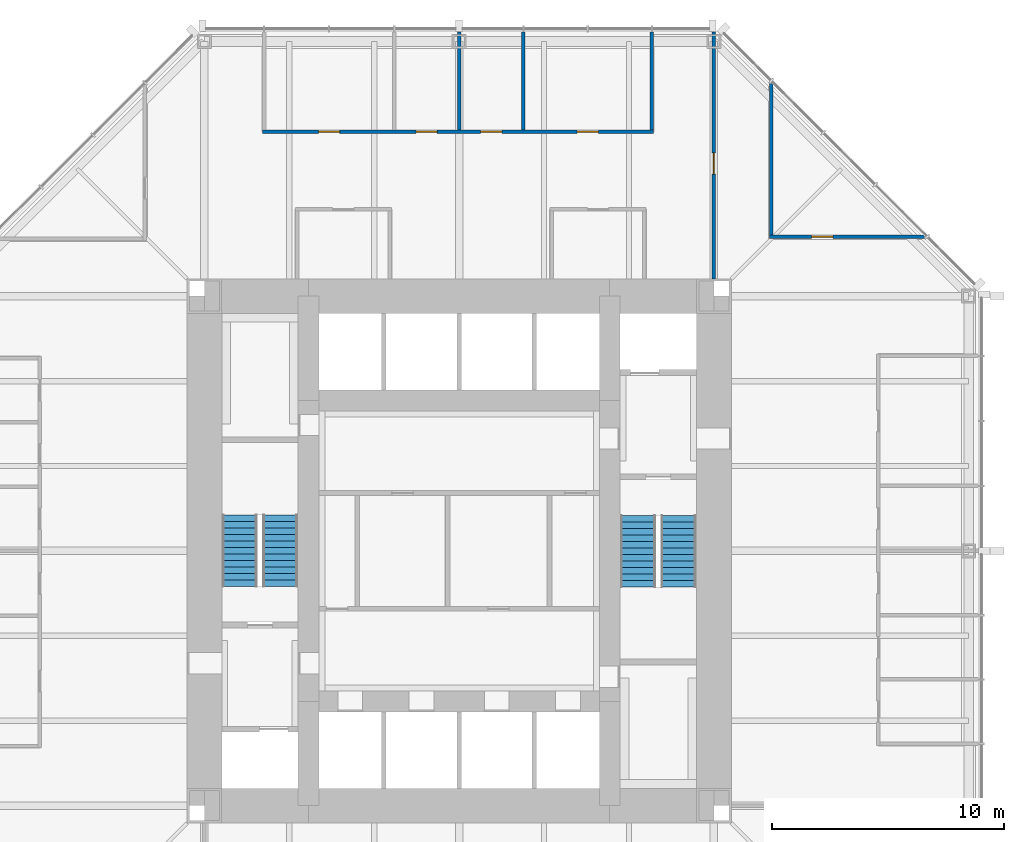
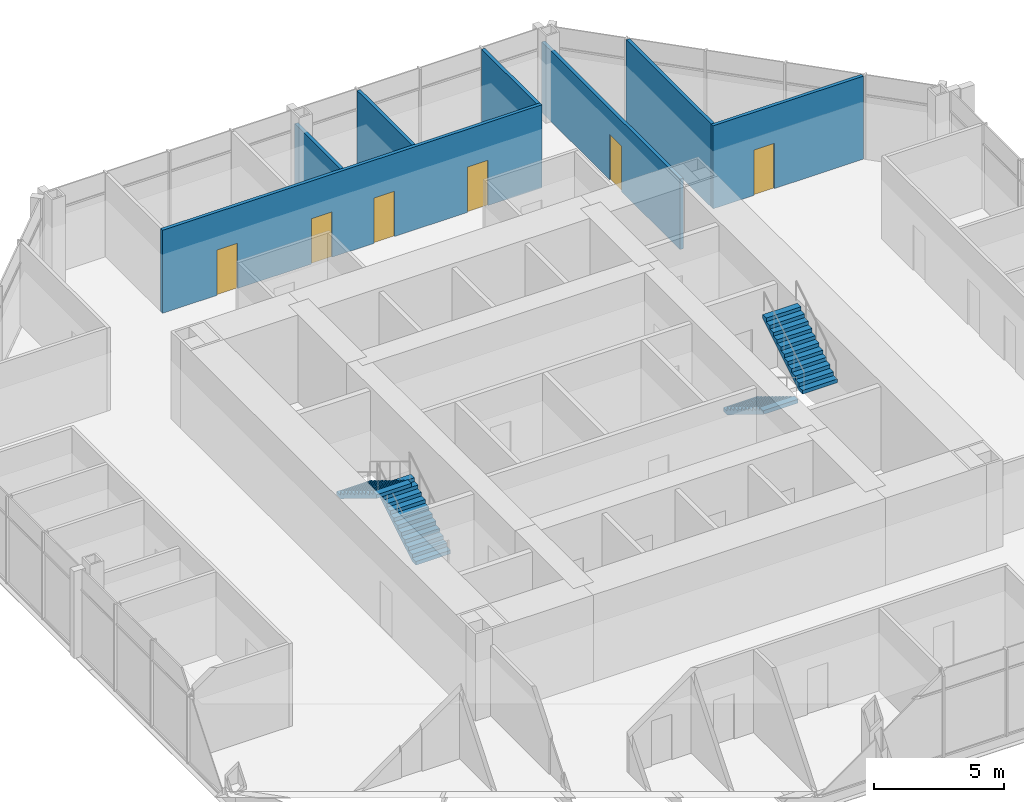
# One storey, part 11 of 12: 7 walls, 6 doors, 4 stair flights, 6 openings, 2 elements without a shape of their own.
"""IFC4 building model written with IfcOpenShell, lengths in metres."""

from ifc_helpers import new_model, si_unit, direction, frame, frame_2d, origin, place, context, subcontext, project, spatial, polyline, rectangle, outline, extrude, material, layer, layer_set, type_object, element, fill, aggregate, save


model = new_model("IFC4")

# Units and contexts
model_context = context("Model", 3, precision=1e-05, world=origin(), true_north=direction((0.0, 1.0)))
body_context = subcontext(model_context, "Body", "Model", "MODEL_VIEW")
ifc_project = project(units=[si_unit("LENGTHUNIT", "METRE"), si_unit("AREAUNIT", "SQUARE_METRE"), si_unit("VOLUMEUNIT", "CUBIC_METRE"), si_unit("PLANEANGLEUNIT", "RADIAN"), si_unit("MASSUNIT", "GRAM", prefix="KILO")], contexts=[model_context])

# Site, building, storey
site_placement = place(None, origin())
site = spatial("IfcSite", under=ifc_project, at=site_placement, CompositionType="ELEMENT")
building_placement = place(site_placement, origin())
building = spatial("IfcBuilding", under=site, at=building_placement, Name="Trevanion Tower", CompositionType="ELEMENT")
storey_placement = place(building_placement, frame((0.0, 0.0, 166.39990234375)))
storey = spatial("IfcBuildingStorey", under=building, at=storey_placement, Name="L39", CompositionType="ELEMENT", Elevation=166.39990234375)

# Wall, opening, door
ifc_material_1 = material(Name="Gypsum board on steel studs", Category="steel")
ifc_layer = layer(ifc_material_1, 0.14990234375)
ifc_layer_set = layer_set([ifc_layer], Name="PT1 partition 150")
wall_type = type_object("IfcWallType", Name="PT1 partition 150", PredefinedType="PARTITIONING", material=ifc_layer_set)
wall_1_placement = place(storey_placement, frame((11.0, 11.75, 0.0), z_axis=(0.0, 0.0, 1.0), x_axis=(0.0, 1.0, 0.0)))
wall_1 = element("IfcWall", 1, at=wall_1_placement, inside=storey, type_object=wall_type, Name="PT1 L39 ZW0", PredefinedType="PARTITIONING", context=body_context, shape_type="SweptSolid", body=[
    extrude(rectangle(XDim=10.6650390625, YDim=0.14990234375, at=frame_2d((5.33251953125, 0.0))), origin(), (0.0, 0.0, 1.0), 3.325927734375),
])
opening_1_placement = place(wall_1_placement, frame((4.517578125, 0.0, 0.0)))
opening_1 = element("IfcOpeningElement", 2, at=opening_1_placement, cuts=wall_1, Name="Opening 39-019", PredefinedType="OPENING", context=body_context, shape_type="SweptSolid", body=[
    extrude(rectangle(XDim=0.9150390625, YDim=2.134033203125, at=frame_2d((0.45751953125, 1.06689453125))), frame((0.0, 0.0849609375, 0.0), z_axis=(0.0, -1.0, 0.0), x_axis=(1.0, 0.0, 0.0)), (0.0, 0.0, 1.0), 0.169921875),
])
ifc_material_2 = material(Name="Timber veneer, solid core", Category="wood")
door_type = type_object("IfcDoorType", Name="D1 office and meeting room door", OperationType="SINGLE_SWING_LEFT", PredefinedType="DOOR", material=ifc_material_2)
door_1_placement = place(opening_1_placement, origin())
door_1 = element("IfcDoor", 3, at=door_1_placement, inside=storey, type_object=door_type, Name="Door 39-019", OperationType="SINGLE_SWING_LEFT", OverallHeight=2.134033203125, OverallWidth=0.9150390625, PredefinedType="DOOR", context=body_context, shape_type="SweptSolid", body=[
    extrude(rectangle(XDim=0.9150390625, YDim=2.134033203125, at=frame_2d((0.45751953125, 1.06689453125))), frame((0.0, 0.02490234375, 0.0), z_axis=(0.0, -1.0, 0.0), x_axis=(1.0, 0.0, 0.0)), (0.0, 0.0, 1.0), 0.050048828125),
])
fill(opening_1, door_1)

wall_2_placement = place(storey_placement, frame((13.39892578125, 13.56591796875, 0.0), z_axis=(0.0, 0.0, 1.0), x_axis=(1.0, 0.0, 0.0)))
wall_2 = element("IfcWall", 4, at=wall_2_placement, inside=storey, type_object=wall_type, Name="PT1 L39 KW0a", PredefinedType="PARTITIONING", context=body_context, shape_type="SweptSolid", body=[
    extrude(rectangle(XDim=6.697998046875, YDim=0.14990234375, at=frame_2d((3.34912109375, 0.0))), origin(), (0.0, 0.0, 1.0), 3.91015625),
])
opening_2_placement = place(wall_2_placement, frame((1.8173828125, 0.0, 0.0)))
opening_2 = element("IfcOpeningElement", 5, at=opening_2_placement, cuts=wall_2, Name="Opening 39-022", PredefinedType="OPENING", context=body_context, shape_type="SweptSolid", body=[
    extrude(rectangle(XDim=0.9150390625, YDim=2.134033203125, at=frame_2d((0.45751953125, 1.06689453125))), frame((0.0, 0.0849609375, 0.0), z_axis=(0.0, -1.0, 0.0), x_axis=(1.0, 0.0, 0.0)), (0.0, 0.0, 1.0), 0.169921875),
])
door_2_placement = place(opening_2_placement, origin())
door_2 = element("IfcDoor", 6, at=door_2_placement, inside=storey, type_object=door_type, Name="Door 39-022", OperationType="SINGLE_SWING_LEFT", OverallHeight=2.134033203125, OverallWidth=0.9150390625, PredefinedType="DOOR", context=body_context, shape_type="SweptSolid", body=[
    extrude(rectangle(XDim=0.9150390625, YDim=2.134033203125, at=frame_2d((0.45751953125, 1.06689453125))), frame((0.0, 0.02490234375, 0.0), z_axis=(0.0, -1.0, 0.0), x_axis=(1.0, 0.0, 0.0)), (0.0, 0.0, 1.0), 0.050048828125),
])
fill(opening_2, door_2)

# Wall
wall_3_placement = place(storey_placement, frame((13.47412109375, 13.64111328125, 0.0), z_axis=(0.0, 0.0, 1.0), x_axis=(0.0, 1.0, 0.0)))
element("IfcWall", 7, at=wall_3_placement, inside=storey, type_object=wall_type, Name="PT1 L39 KW0b", PredefinedType="PARTITIONING", context=body_context, shape_type="SweptSolid", body=[
    extrude(rectangle(XDim=6.5478515625, YDim=0.14990234375, at=frame_2d((3.27392578125, 0.0))), origin(), (0.0, 0.0, 1.0), 3.91015625),
])

# Wall, openings, doors
wall_4_placement = place(storey_placement, frame((8.39794921875, 18.10009765625, 0.0), z_axis=(0.0, 0.0, 1.0), x_axis=(-1.0, 0.0, 0.0)))
wall_4 = element("IfcWall", 8, at=wall_4_placement, inside=storey, type_object=wall_type, Name="PT1 L39 FC1F", PredefinedType="PARTITIONING", context=body_context, shape_type="SweptSolid", body=[
    extrude(rectangle(XDim=16.89404296875, YDim=0.14990234375, at=frame_2d((8.447021484375, 0.0))), origin(), (0.0, 0.0, 1.0), 3.91015625),
])
opening_3_placement = place(wall_4_placement, frame((2.3916015625, 0.0, 0.0)))
opening_3 = element("IfcOpeningElement", 9, at=opening_3_placement, cuts=wall_4, Name="Opening 39-031", PredefinedType="OPENING", context=body_context, shape_type="SweptSolid", body=[
    extrude(rectangle(XDim=0.9150390625, YDim=2.134033203125, at=frame_2d((0.45751953125, 1.06689453125))), frame((0.0, 0.0849609375, 0.0), z_axis=(0.0, -1.0, 0.0), x_axis=(1.0, 0.0, 0.0)), (0.0, 0.0, 1.0), 0.169921875),
])
opening_4_placement = place(wall_4_placement, frame((6.552978515625, 0.0, 0.0)))
opening_4 = element("IfcOpeningElement", 10, at=opening_4_placement, cuts=wall_4, Name="Opening 39-032", PredefinedType="OPENING", context=body_context, shape_type="SweptSolid", body=[
    extrude(rectangle(XDim=0.9150390625, YDim=2.134033203125, at=frame_2d((0.45751953125, 1.06689453125))), frame((0.0, 0.0849609375, 0.0), z_axis=(0.0, -1.0, 0.0), x_axis=(1.0, 0.0, 0.0)), (0.0, 0.0, 1.0), 0.169921875),
])
opening_5_placement = place(wall_4_placement, frame((9.343994140625, 0.0, 0.0)))
opening_5 = element("IfcOpeningElement", 11, at=opening_5_placement, cuts=wall_4, Name="Opening 39-033", PredefinedType="OPENING", context=body_context, shape_type="SweptSolid", body=[
    extrude(rectangle(XDim=0.9150390625, YDim=2.134033203125, at=frame_2d((0.45751953125, 1.06689453125))), frame((0.0, 0.0849609375, 0.0), z_axis=(0.0, -1.0, 0.0), x_axis=(1.0, 0.0, 0.0)), (0.0, 0.0, 1.0), 0.169921875),
])
opening_6_placement = place(wall_4_placement, frame((13.554443359375, 0.0, 0.0)))
opening_6 = element("IfcOpeningElement", 12, at=opening_6_placement, cuts=wall_4, Name="Opening 39-034", PredefinedType="OPENING", context=body_context, shape_type="SweptSolid", body=[
    extrude(rectangle(XDim=0.9150390625, YDim=2.134033203125, at=frame_2d((0.45751953125, 1.06689453125))), frame((0.0, 0.0849609375, 0.0), z_axis=(0.0, -1.0, 0.0), x_axis=(1.0, 0.0, 0.0)), (0.0, 0.0, 1.0), 0.169921875),
])
door_3_placement = place(opening_3_placement, origin())
door_3 = element("IfcDoor", 13, at=door_3_placement, inside=storey, type_object=door_type, Name="Door 39-031", OperationType="SINGLE_SWING_LEFT", OverallHeight=2.134033203125, OverallWidth=0.9150390625, PredefinedType="DOOR", context=body_context, shape_type="SweptSolid", body=[
    extrude(rectangle(XDim=0.9150390625, YDim=2.134033203125, at=frame_2d((0.45751953125, 1.06689453125))), frame((0.0, 0.02490234375, 0.0), z_axis=(0.0, -1.0, 0.0), x_axis=(1.0, 0.0, 0.0)), (0.0, 0.0, 1.0), 0.050048828125),
])
fill(opening_3, door_3)
door_4_placement = place(opening_4_placement, origin())
door_4 = element("IfcDoor", 14, at=door_4_placement, inside=storey, type_object=door_type, Name="Door 39-032", OperationType="SINGLE_SWING_LEFT", OverallHeight=2.134033203125, OverallWidth=0.9150390625, PredefinedType="DOOR", context=body_context, shape_type="SweptSolid", body=[
    extrude(rectangle(XDim=0.9150390625, YDim=2.134033203125, at=frame_2d((0.45751953125, 1.06689453125))), frame((0.0, 0.02490234375, 0.0), z_axis=(0.0, -1.0, 0.0), x_axis=(1.0, 0.0, 0.0)), (0.0, 0.0, 1.0), 0.050048828125),
])
fill(opening_4, door_4)
door_5_placement = place(opening_5_placement, origin())
door_5 = element("IfcDoor", 15, at=door_5_placement, inside=storey, type_object=door_type, Name="Door 39-033", OperationType="SINGLE_SWING_LEFT", OverallHeight=2.134033203125, OverallWidth=0.9150390625, PredefinedType="DOOR", context=body_context, shape_type="SweptSolid", body=[
    extrude(rectangle(XDim=0.9150390625, YDim=2.134033203125, at=frame_2d((0.45751953125, 1.06689453125))), frame((0.0, 0.02490234375, 0.0), z_axis=(0.0, -1.0, 0.0), x_axis=(1.0, 0.0, 0.0)), (0.0, 0.0, 1.0), 0.050048828125),
])
fill(opening_5, door_5)
door_6_placement = place(opening_6_placement, origin())
door_6 = element("IfcDoor", 16, at=door_6_placement, inside=storey, type_object=door_type, Name="Door 39-034", OperationType="SINGLE_SWING_LEFT", OverallHeight=2.134033203125, OverallWidth=0.9150390625, PredefinedType="DOOR", context=body_context, shape_type="SweptSolid", body=[
    extrude(rectangle(XDim=0.9150390625, YDim=2.134033203125, at=frame_2d((0.45751953125, 1.06689453125))), frame((0.0, 0.02490234375, 0.0), z_axis=(0.0, -1.0, 0.0), x_axis=(1.0, 0.0, 0.0)), (0.0, 0.0, 1.0), 0.050048828125),
])
fill(opening_6, door_6)

# Walls
for number, where, z_axis, x_axis, name in (
    (17, (8.322998046875, 18.175048828125, 0.0), (0.0, 0.0, 1.0), (0.0, 1.0, 0.0), "PT1 L39 FC1S0"),
    (18, (2.77490234375, 18.175048828125, 0.0), (0.0, 0.0, 1.0), (0.0, 1.0, 0.0), "PT1 L39 FC1S2"),
):
    element("IfcWall", number, at=place(storey_placement, frame(where, z_axis=z_axis, x_axis=x_axis)), inside=storey, type_object=wall_type, Name=name, PredefinedType="PARTITIONING", context=body_context, shape_type="SweptSolid", body=[
        extrude(rectangle(XDim=4.239990234375, YDim=0.14990234375, at=frame_2d((2.1201171875, 0.0))), origin(), (0.0, 0.0, 1.0), 3.91015625),
    ])
wall_5_placement = place(storey_placement, frame((0.0, 18.175048828125, 0.0), z_axis=(0.0, 0.0, 1.0), x_axis=(0.0, 1.0, 0.0)))
element("IfcWall", 19, at=wall_5_placement, inside=storey, type_object=wall_type, Name="PT1 L39 FC1S3", PredefinedType="PARTITIONING", context=body_context, shape_type="SweptSolid", body=[
    extrude(rectangle(XDim=4.239990234375, YDim=0.14990234375, at=frame_2d((2.1201171875, 0.0))), origin(), (0.0, 0.0, 1.0), 3.325927734375),
])

# Stair, stair flights
ifc_material_3 = material(Name="Concrete 5,000 psi on steel stringers", Category="concrete")
stair_type = type_object("IfcStairType", Name="ST stair", PredefinedType="HALF_TURN_STAIR", material=ifc_material_3)
stair_1_placement = place(storey_placement, origin())
stair_1 = element("IfcStair", 20, at=stair_1_placement, inside=storey, type_object=stair_type, Name="ST1 L39", PredefinedType="HALF_TURN_STAIR")
ifc_material_4 = material(Name="Concrete 5,000 psi in steel pan", Category="concrete")
stair_flight_type = type_object("IfcStairFlightType", Name="STF stair flight", PredefinedType="STRAIGHT", material=ifc_material_4)
stair_flight_1_placement = place(storey_placement, frame((7.72509765625, 1.52490234375, 0.0), z_axis=(0.0, 0.0, 1.0), x_axis=(0.0, -1.0, 0.0)))
stair_flight_1 = element("IfcStairFlight", 21, at=stair_flight_1_placement, type_object=stair_flight_type, Name="ST1 flight 1", NumberOfRisers=12, NumberOfTreads=11, PredefinedType="STRAIGHT", RiserHeight=0.170833333, TreadLength=0.28, context=body_context, shape_type="SweptSolid", body=[
    extrude(outline(polyline([(0.0, 0.0), (0.0, 0.1708984375), (0.280029296875, 0.1708984375), (0.280029296875, 0.341552734375), (0.56005859375, 0.341552734375), (0.56005859375, 0.512451171875), (0.840087890625, 0.512451171875), (0.840087890625, 0.683349609375), (1.1201171875, 0.683349609375), (1.1201171875, 0.854248046875), (1.39990234375, 0.854248046875), (1.39990234375, 1.02490234375), (1.679931640625, 1.02490234375), (1.679931640625, 1.19580078125), (1.9599609375, 1.19580078125), (1.9599609375, 1.36669921875), (2.239990234375, 1.36669921875), (2.239990234375, 1.53759765625), (2.52001953125, 1.53759765625), (2.52001953125, 1.708251953125), (2.800048828125, 1.708251953125), (2.800048828125, 1.879150390625), (3.080078125, 1.879150390625), (3.080078125, 2.050048828125), (3.080078125, 1.70361328125), (0.287841796875, 0.0), (0.0, 0.0)])), frame((0.0, 0.77490234375, 0.0), z_axis=(0.0, -1.0, 0.0), x_axis=(1.0, 0.0, 0.0)), (0.0, 0.0, 1.0), 1.550048828125),
])
stair_flight_2_placement = place(storey_placement, frame((9.47509765625, -1.554931640625, 2.050048828125), z_axis=(0.0, 0.0, 1.0), x_axis=(0.0, 1.0, 0.0)))
stair_flight_2 = element("IfcStairFlight", 22, at=stair_flight_2_placement, type_object=stair_flight_type, Name="ST1 flight 2", NumberOfRisers=12, NumberOfTreads=11, PredefinedType="STRAIGHT", RiserHeight=0.170833333, TreadLength=0.28, context=body_context, shape_type="SweptSolid", body=[
    extrude(outline(polyline([(0.0, 0.0), (0.0, 0.1708984375), (0.280029296875, 0.1708984375), (0.280029296875, 0.341552734375), (0.56005859375, 0.341552734375), (0.56005859375, 0.512451171875), (0.840087890625, 0.512451171875), (0.840087890625, 0.683349609375), (1.1201171875, 0.683349609375), (1.1201171875, 0.854248046875), (1.39990234375, 0.854248046875), (1.39990234375, 1.02490234375), (1.679931640625, 1.02490234375), (1.679931640625, 1.19580078125), (1.9599609375, 1.19580078125), (1.9599609375, 1.36669921875), (2.239990234375, 1.36669921875), (2.239990234375, 1.53759765625), (2.52001953125, 1.53759765625), (2.52001953125, 1.708251953125), (2.800048828125, 1.708251953125), (2.800048828125, 1.879150390625), (3.080078125, 1.879150390625), (3.080078125, 2.050048828125), (3.080078125, 1.70361328125), (0.287841796875, 0.0), (0.0, 0.0)])), frame((0.0, 0.77490234375, 0.0), z_axis=(0.0, -1.0, 0.0), x_axis=(1.0, 0.0, 0.0)), (0.0, 0.0, 1.0), 1.550048828125),
])
aggregate(stair_1, [stair_flight_1, stair_flight_2])

stair_2_placement = place(storey_placement, origin())
stair_2 = element("IfcStair", 23, at=stair_2_placement, inside=storey, type_object=stair_type, Name="ST2 L39", PredefinedType="HALF_TURN_STAIR")
stair_flight_3_placement = place(storey_placement, frame((-7.72509765625, -1.52490234375, 0.0), z_axis=(0.0, 0.0, 1.0), x_axis=(0.0, 1.0, 0.0)))
stair_flight_3 = element("IfcStairFlight", 24, at=stair_flight_3_placement, type_object=stair_flight_type, Name="ST2 flight 1", NumberOfRisers=12, NumberOfTreads=11, PredefinedType="STRAIGHT", RiserHeight=0.170833333, TreadLength=0.28, context=body_context, shape_type="SweptSolid", body=[
    extrude(outline(polyline([(0.0, 0.0), (0.0, 0.1708984375), (0.280029296875, 0.1708984375), (0.280029296875, 0.341552734375), (0.56005859375, 0.341552734375), (0.56005859375, 0.512451171875), (0.840087890625, 0.512451171875), (0.840087890625, 0.683349609375), (1.1201171875, 0.683349609375), (1.1201171875, 0.854248046875), (1.39990234375, 0.854248046875), (1.39990234375, 1.02490234375), (1.679931640625, 1.02490234375), (1.679931640625, 1.19580078125), (1.9599609375, 1.19580078125), (1.9599609375, 1.36669921875), (2.239990234375, 1.36669921875), (2.239990234375, 1.53759765625), (2.52001953125, 1.53759765625), (2.52001953125, 1.708251953125), (2.800048828125, 1.708251953125), (2.800048828125, 1.879150390625), (3.080078125, 1.879150390625), (3.080078125, 2.050048828125), (3.080078125, 1.70361328125), (0.287841796875, 0.0), (0.0, 0.0)])), frame((0.0, 0.77490234375, 0.0), z_axis=(0.0, -1.0, 0.0), x_axis=(1.0, 0.0, 0.0)), (0.0, 0.0, 1.0), 1.550048828125),
])
stair_flight_4_placement = place(storey_placement, frame((-9.47509765625, 1.554931640625, 2.050048828125), z_axis=(0.0, 0.0, 1.0), x_axis=(0.0, -1.0, 0.0)))
stair_flight_4 = element("IfcStairFlight", 25, at=stair_flight_4_placement, type_object=stair_flight_type, Name="ST2 flight 2", NumberOfRisers=12, NumberOfTreads=11, PredefinedType="STRAIGHT", RiserHeight=0.170833333, TreadLength=0.28, context=body_context, shape_type="SweptSolid", body=[
    extrude(outline(polyline([(0.0, 0.0), (0.0, 0.1708984375), (0.280029296875, 0.1708984375), (0.280029296875, 0.341552734375), (0.56005859375, 0.341552734375), (0.56005859375, 0.512451171875), (0.840087890625, 0.512451171875), (0.840087890625, 0.683349609375), (1.1201171875, 0.683349609375), (1.1201171875, 0.854248046875), (1.39990234375, 0.854248046875), (1.39990234375, 1.02490234375), (1.679931640625, 1.02490234375), (1.679931640625, 1.19580078125), (1.9599609375, 1.19580078125), (1.9599609375, 1.36669921875), (2.239990234375, 1.36669921875), (2.239990234375, 1.53759765625), (2.52001953125, 1.53759765625), (2.52001953125, 1.708251953125), (2.800048828125, 1.708251953125), (2.800048828125, 1.879150390625), (3.080078125, 1.879150390625), (3.080078125, 2.050048828125), (3.080078125, 1.70361328125), (0.287841796875, 0.0), (0.0, 0.0)])), frame((0.0, 0.77490234375, 0.0), z_axis=(0.0, -1.0, 0.0), x_axis=(1.0, 0.0, 0.0)), (0.0, 0.0, 1.0), 1.550048828125),
])
aggregate(stair_2, [stair_flight_3, stair_flight_4])

save(model, "model.ifc")
